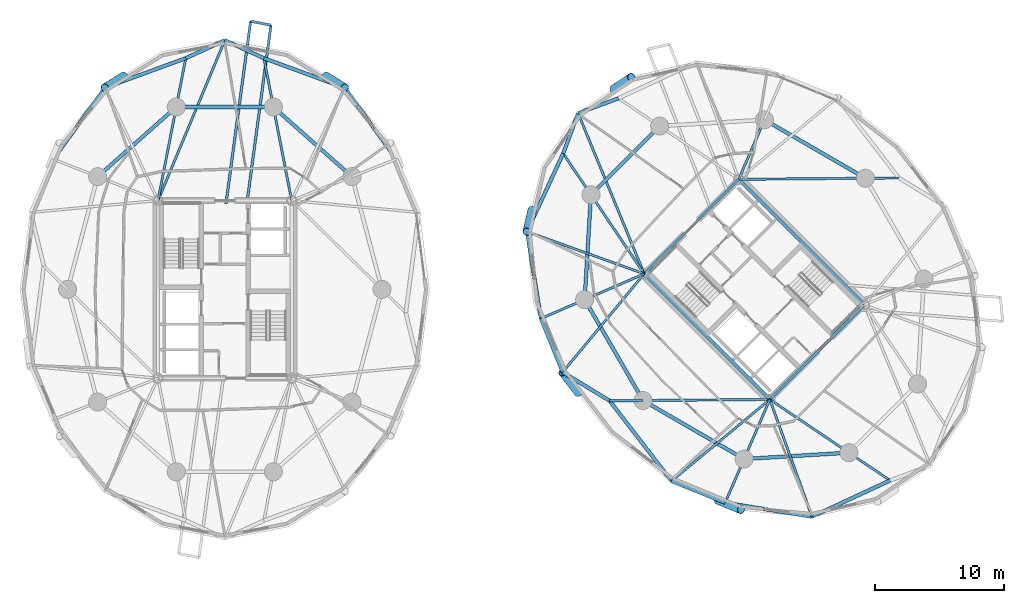
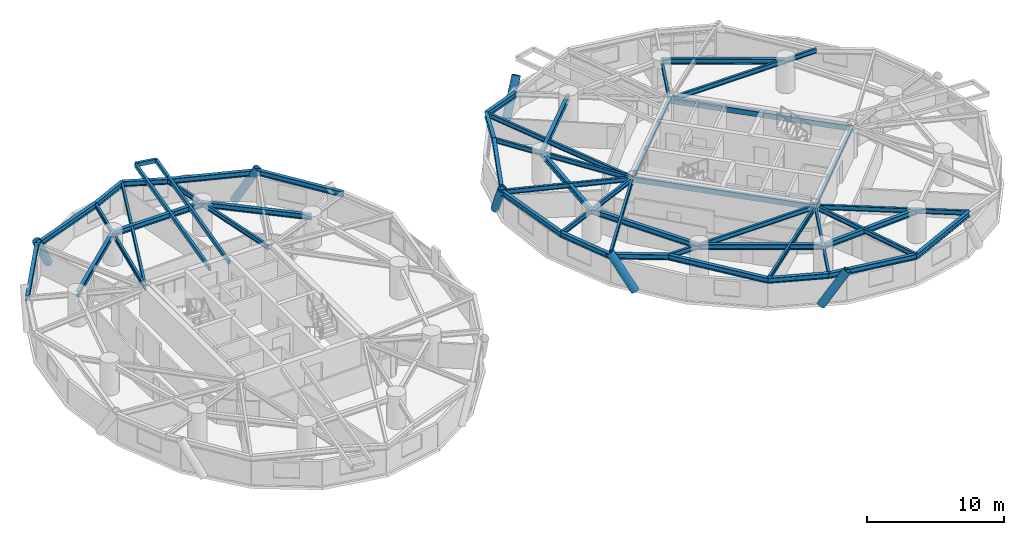
# One storey, part 5 of 17: 48 beams, 6 members.
"""IFC4 building model written with IfcOpenShell, lengths in metres."""

from ifc_helpers import new_model, si_unit, direction, frame, origin, origin_2d, place, context, subcontext, project, spatial, hollow_rectangle, hollow_circle, i_section, extrude, material, material_profile, profile_set, type_object, element, save


model = new_model("IFC4")

# Units and contexts
model_context = context("Model", 3, precision=1e-05, world=origin(), true_north=direction((0.0, 1.0)))
body_context = subcontext(model_context, "Body", "Model", "MODEL_VIEW")
ifc_project = project(units=[si_unit("LENGTHUNIT", "METRE"), si_unit("AREAUNIT", "SQUARE_METRE"), si_unit("VOLUMEUNIT", "CUBIC_METRE"), si_unit("PLANEANGLEUNIT", "RADIAN"), si_unit("MASSUNIT", "GRAM", prefix="KILO")], contexts=[model_context])

# Site, building, storey
site_placement = place(None, origin())
site = spatial("IfcSite", under=ifc_project, at=site_placement, CompositionType="ELEMENT")
building_placement = place(site_placement, origin())
building = spatial("IfcBuilding", under=site, at=building_placement, Name="Cununo Teusaquillo Station Towers", CompositionType="ELEMENT")
storey_placement = place(building_placement, frame((0.0, 0.0, 116.7099609375)))
storey = spatial("IfcBuildingStorey", under=building, at=storey_placement, Name="L37", CompositionType="ELEMENT", Elevation=116.7099609375)

# Beams
ifc_material_1 = material(Name="Steel EN 10025-2 S355J2", Category="steel")
ifc_material_profile_1 = material_profile(ifc_material_1, hollow_rectangle(XDim=0.199951171875, YDim=0.35009765625, WallThickness=0.013916015625, at=origin_2d()), Name="RHS 350x200x14")
ifc_profile_set_1 = profile_set([ifc_material_profile_1], Name="Steel EN 10025-2 S355J2")
beam_type_1 = type_object("IfcBeamType", Name="BM-BAL-CANT", PredefinedType="BEAM", material=ifc_profile_set_1)
beam_1_placement = place(storey_placement, frame((18.206298828125, 31.14990234375, 2.4951171875), z_axis=(0.133960678738, 0.990986648019, 0.0), x_axis=(-0.990986648019, 0.133960678738, 0.0)))
element("IfcBeam", 1, at=beam_1_placement, inside=storey, type_object=beam_type_1, Name="L37 Tower A Balcony Cantilever Bracket 1A", PredefinedType="BEAM", context=body_context, shape_type="SweptSolid", body=[
    extrude(hollow_rectangle(XDim=0.199951171875, YDim=0.35009765625, WallThickness=0.013916015625, at=origin_2d()), origin(), (0.0, 0.0, 1.0), 13.9345703125),
])
beam_2_placement = place(storey_placement, frame((16.59130859375, 31.14990234375, 2.4951171875), z_axis=(0.133936551357, 0.990989909237, 0.0), x_axis=(-0.990989909237, 0.133936551357, 0.0)))
element("IfcBeam", 2, at=beam_2_placement, inside=storey, type_object=beam_type_1, Name="L37 Tower A Balcony Cantilever Bracket 1B", PredefinedType="BEAM", context=body_context, shape_type="SweptSolid", body=[
    extrude(hollow_rectangle(XDim=0.199951171875, YDim=0.35009765625, WallThickness=0.013916015625, at=origin_2d()), origin(), (0.0, 0.0, 1.0), 14.24169921875),
])
ifc_material_2 = material(Name="Steel EN 10025-2 S355J2", Category="steel")
ifc_material_profile_2 = material_profile(ifc_material_2, hollow_rectangle(XDim=0.25, YDim=0.449951171875, WallThickness=0.01611328125, at=origin_2d()), Name="RHS 450x250x16")
ifc_profile_set_2 = profile_set([ifc_material_profile_2], Name="Steel EN 10025-2 S355J2")
beam_type_2 = type_object("IfcBeamType", Name="BM-COUP-1", PredefinedType="USERDEFINED", material=ifc_profile_set_2)
for number, where, z_axis, x_axis, name in (
    (3, (58.70556640625, 15.975830078125, 2.445068359375), (-0.707106781187, 0.707106781187, 0.0), (-0.707106781187, -0.707106781187, 0.0), "L37 Tower B Core Beam 1"),
    (4, (66.024169921875, 23.29443359375, 2.445068359375), (-0.707106781187, 0.707106781187, 0.0), (-0.707106781187, -0.707106781187, 0.0), "L37 Tower B Core Beam 2"),
):
    element("IfcBeam", number, at=place(storey_placement, frame(where, z_axis=z_axis, x_axis=x_axis)), inside=storey, type_object=beam_type_2, Name=name, ObjectType="COUPLING BEAM", PredefinedType="USERDEFINED", context=body_context, shape_type="SweptSolid", body=[
        extrude(hollow_rectangle(XDim=0.25, YDim=0.449951171875, WallThickness=0.01611328125, at=origin_2d()), origin(), (0.0, 0.0, 1.0), 13.760009765625),
    ])
ifc_material_3 = material(Name="Steel ASTM A572 Grade 50", Category="steel")
ifc_material_profile_3 = material_profile(ifc_material_3, i_section(OverallWidth=0.180908203125, OverallDepth=0.4169921875, WebThickness=0.010986328125, FlangeThickness=0.018310546875, FilletRadius=0.012939453125, at=origin_2d()), Name="W16X57")
ifc_profile_set_3 = profile_set([ifc_material_profile_3], Name="Steel ASTM A572 Grade 50")
beam_type_3 = type_object("IfcBeamType", Name="BM-JOIST-1", PredefinedType="JOIST", material=ifc_profile_set_3)
beam_3_placement = place(storey_placement, frame((11.324951171875, 31.3798828125, 2.46142578125), z_axis=(0.38487837995, 0.922967297713, 0.0), x_axis=(-0.922967297713, 0.38487837995, 0.0)))
element("IfcBeam", 5, at=beam_3_placement, inside=storey, type_object=beam_type_3, Name="L37 Tower A Radial Spandrel Joist V05", PredefinedType="JOIST", context=body_context, shape_type="SweptSolid", body=[
    extrude(i_section(OverallWidth=0.180908203125, OverallDepth=0.4169921875, WebThickness=0.010986328125, FlangeThickness=0.018310546875, FilletRadius=0.012939453125, at=origin_2d()), origin(), (0.0, 0.0, 1.0), 13.446044921875),
])
beam_4_placement = place(storey_placement, frame((48.975830078125, 25.70556640625, 2.46142578125), z_axis=(-0.380485864505, 0.924786735908, 0.0), x_axis=(-0.924786735908, -0.380485864505, 0.0)))
element("IfcBeam", 6, at=beam_4_placement, inside=storey, type_object=beam_type_3, Name="L37 Tower B Radial Spandrel Joist V05", PredefinedType="JOIST", context=body_context, shape_type="SweptSolid", body=[
    extrude(i_section(OverallWidth=0.180908203125, OverallDepth=0.4169921875, WebThickness=0.010986328125, FlangeThickness=0.018310546875, FilletRadius=0.012939453125, at=origin_2d()), origin(), (0.0, 0.0, 1.0), 13.44580078125),
])
beam_5_placement = place(storey_placement, frame((48.975830078125, 25.70556640625, 2.46142578125), z_axis=(-0.941082771055, 0.338176312038, 0.0), x_axis=(-0.338176312038, -0.941082771055, 0.0)))
element("IfcBeam", 7, at=beam_5_placement, inside=storey, type_object=beam_type_3, Name="L37 Tower B Radial Spandrel Joist V07", PredefinedType="JOIST", context=body_context, shape_type="SweptSolid", body=[
    extrude(i_section(OverallWidth=0.180908203125, OverallDepth=0.4169921875, WebThickness=0.010986328125, FlangeThickness=0.018310546875, FilletRadius=0.012939453125, at=origin_2d()), origin(), (0.0, 0.0, 1.0), 9.646484375),
])
for number, where, z_axis, x_axis, name in (
    (8, (48.975830078125, 25.70556640625, 2.46142578125), (-0.638372238196, -0.769727799615, 0.0), (0.769727799615, -0.638372238196, 0.0), "L37 Tower B Radial Spandrel Joist V09"),
    (9, (58.70556640625, 15.975830078125, 2.46142578125), (-0.769727799615, -0.638372238196, 0.0), (0.638372238196, -0.769727799615, 0.0), "L37 Tower B Radial Spandrel Joist V11"),
):
    element("IfcBeam", number, at=place(storey_placement, frame(where, z_axis=z_axis, x_axis=x_axis)), inside=storey, type_object=beam_type_3, Name=name, PredefinedType="JOIST", context=body_context, shape_type="SweptSolid", body=[
        extrude(i_section(OverallWidth=0.180908203125, OverallDepth=0.4169921875, WebThickness=0.010986328125, FlangeThickness=0.018310546875, FilletRadius=0.012939453125, at=origin_2d()), origin(), (0.0, 0.0, 1.0), 9.895263671875),
    ])
beam_6_placement = place(storey_placement, frame((58.70556640625, 15.975830078125, 2.46142578125), z_axis=(0.338176312038, -0.941082771055, 0.0), x_axis=(0.941082771055, 0.338176312038, 0.0)))
element("IfcBeam", 10, at=beam_6_placement, inside=storey, type_object=beam_type_3, Name="L37 Tower B Radial Spandrel Joist V13", PredefinedType="JOIST", context=body_context, shape_type="SweptSolid", body=[
    extrude(i_section(OverallWidth=0.180908203125, OverallDepth=0.4169921875, WebThickness=0.010986328125, FlangeThickness=0.018310546875, FilletRadius=0.012939453125, at=origin_2d()), origin(), (0.0, 0.0, 1.0), 9.646484375),
])
ifc_material_4 = material(Name="Steel ASTM A572 Grade 50", Category="steel")
ifc_material_profile_4 = material_profile(ifc_material_4, i_section(OverallWidth=0.2041015625, OverallDepth=0.35009765625, WebThickness=0.008544921875, FlangeThickness=0.01513671875, FilletRadius=0.011962890625, at=origin_2d()), Name="W14X48")
ifc_profile_set_4 = profile_set([ifc_material_profile_4], Name="Steel ASTM A572 Grade 50")
beam_type_4 = type_object("IfcBeamType", Name="BM-LINTEL-1", PredefinedType="LINTEL", material=ifc_profile_set_4)
for number, where, z_axis, x_axis, name in (
    (11, (58.70556640625, 15.975830078125, 2.4951171875), (0.707106781187, 0.707106781187, 0.0), (-0.707106781187, 0.707106781187, 0.0), "L37 Tower B Core Beam 3"),
    (12, (48.975830078125, 25.70556640625, 2.4951171875), (0.707106781187, 0.707106781187, 0.0), (-0.707106781187, 0.707106781187, 0.0), "L37 Tower B Core Beam 4"),
):
    element("IfcBeam", number, at=place(storey_placement, frame(where, z_axis=z_axis, x_axis=x_axis)), inside=storey, type_object=beam_type_4, Name=name, PredefinedType="LINTEL", context=body_context, shape_type="SweptSolid", body=[
        extrude(i_section(OverallWidth=0.2041015625, OverallDepth=0.35009765625, WebThickness=0.008544921875, FlangeThickness=0.01513671875, FilletRadius=0.011962890625, at=origin_2d()), origin(), (0.0, 0.0, 1.0), 10.35009765625),
    ])
ifc_material_5 = material(Name="Steel ASTM A572 Grade 50", Category="steel")
ifc_material_profile_5 = material_profile(ifc_material_5, i_section(OverallWidth=0.180908203125, OverallDepth=0.4169921875, WebThickness=0.010986328125, FlangeThickness=0.018310546875, FilletRadius=0.012939453125, at=origin_2d()), Name="W16X57")
ifc_profile_set_5 = profile_set([ifc_material_profile_5], Name="Steel ASTM A572 Grade 50")
beam_type_5 = type_object("IfcBeamType", Name="BM-RAD-G2", PredefinedType="BEAM", material=ifc_profile_set_5)
for number, where, z_axis, x_axis, name in (
    (13, (21.675048828125, 31.3798828125, 2.46142578125), (-0.191552755713, 0.981482318628, 0.0), (-0.981482318628, -0.191552755713, 0.0), "L37 Tower A Continuous Overhanging Radial Girder 03"),
    (14, (11.324951171875, 31.3798828125, 2.46142578125), (0.191552755713, 0.981482318628, 0.0), (-0.981482318628, 0.191552755713, 0.0), "L37 Tower A Continuous Overhanging Radial Girder 04"),
):
    element("IfcBeam", number, at=place(storey_placement, frame(where, z_axis=z_axis, x_axis=x_axis)), inside=storey, type_object=beam_type_5, Name=name, PredefinedType="BEAM", context=body_context, shape_type="SweptSolid", body=[
        extrude(i_section(OverallWidth=0.180908203125, OverallDepth=0.4169921875, WebThickness=0.010986328125, FlangeThickness=0.018310546875, FilletRadius=0.012939453125, at=origin_2d()), origin(), (0.0, 0.0, 1.0), 11.22998046875),
    ])
beam_7_placement = place(storey_placement, frame((56.29443359375, 33.024169921875, 2.46142578125), z_axis=(0.999964331255, 0.008446077024, 0.0), x_axis=(-0.008446077024, 0.999964331255, 0.0)))
element("IfcBeam", 15, at=beam_7_placement, inside=storey, type_object=beam_type_5, Name="L37 Tower B Continuous Overhanging Radial Girder 01", PredefinedType="BEAM", context=body_context, shape_type="SweptSolid", body=[
    extrude(i_section(OverallWidth=0.180908203125, OverallDepth=0.4169921875, WebThickness=0.010986328125, FlangeThickness=0.018310546875, FilletRadius=0.012939453125, at=origin_2d()), origin(), (0.0, 0.0, 1.0), 12.400634765625),
])
beam_8_placement = place(storey_placement, frame((56.29443359375, 33.024169921875, 2.46142578125), z_axis=(0.397346986387, 0.917668443616, 0.0), x_axis=(-0.917668443616, 0.397346986387, 0.0)))
element("IfcBeam", 16, at=beam_8_placement, inside=storey, type_object=beam_type_5, Name="L37 Tower B Radial Girder 02A", PredefinedType="BEAM", context=body_context, shape_type="SweptSolid", body=[
    extrude(i_section(OverallWidth=0.180908203125, OverallDepth=0.4169921875, WebThickness=0.010986328125, FlangeThickness=0.018310546875, FilletRadius=0.012939453125, at=origin_2d()), origin(), (0.0, 0.0, 1.0), 5.02490234375),
])
beam_9_placement = place(storey_placement, frame((48.975830078125, 25.70556640625, 2.46142578125), z_axis=(-0.558572297481, 0.82945583878, 0.0), x_axis=(-0.82945583878, -0.558572297481, 0.0)))
element("IfcBeam", 17, at=beam_9_placement, inside=storey, type_object=beam_type_5, Name="L37 Tower B Continuous Overhanging Radial Girder 04", PredefinedType="BEAM", context=body_context, shape_type="SweptSolid", body=[
    extrude(i_section(OverallWidth=0.180908203125, OverallDepth=0.4169921875, WebThickness=0.010986328125, FlangeThickness=0.018310546875, FilletRadius=0.012939453125, at=origin_2d()), origin(), (0.0, 0.0, 1.0), 11.22998046875),
])
beam_10_placement = place(storey_placement, frame((48.975830078125, 25.70556640625, 2.46142578125), z_axis=(-0.917654733344, -0.397378648609, 0.0), x_axis=(0.397378648609, -0.917654733344, 0.0)))
element("IfcBeam", 18, at=beam_10_placement, inside=storey, type_object=beam_type_5, Name="L37 Tower B Continuous Overhanging Radial Girder 05", PredefinedType="BEAM", context=body_context, shape_type="SweptSolid", body=[
    extrude(i_section(OverallWidth=0.180908203125, OverallDepth=0.4169921875, WebThickness=0.010986328125, FlangeThickness=0.018310546875, FilletRadius=0.012939453125, at=origin_2d()), origin(), (0.0, 0.0, 1.0), 8.71484375),
])
beam_11_placement = place(storey_placement, frame((58.70556640625, 15.975830078125, 2.46142578125), z_axis=(-0.999964431382, -0.008434214327, 0.0), x_axis=(0.008434214327, -0.999964431382, 0.0)))
element("IfcBeam", 19, at=beam_11_placement, inside=storey, type_object=beam_type_5, Name="L37 Tower B Radial Girder 06A", PredefinedType="BEAM", context=body_context, shape_type="SweptSolid", body=[
    extrude(i_section(OverallWidth=0.180908203125, OverallDepth=0.4169921875, WebThickness=0.010986328125, FlangeThickness=0.018310546875, FilletRadius=0.012939453125, at=origin_2d()), origin(), (0.0, 0.0, 1.0), 9.812744140625),
])
beam_12_placement = place(storey_placement, frame((48.89306640625, 15.89306640625, 2.46142578125), z_axis=(-0.999963950292, -0.008491060999, 0.0), x_axis=(0.008491060999, -0.999963950292, 0.0)))
element("IfcBeam", 20, at=beam_12_placement, inside=storey, type_object=beam_type_5, Name="L37 Tower B Perimeter Overhang Girder 06B", PredefinedType="BEAM", context=body_context, shape_type="SweptSolid", body=[
    extrude(i_section(OverallWidth=0.180908203125, OverallDepth=0.4169921875, WebThickness=0.010986328125, FlangeThickness=0.018310546875, FilletRadius=0.012939453125, at=origin_2d()), origin(), (0.0, 0.0, 1.0), 2.587646484375),
])
beam_13_placement = place(storey_placement, frame((58.70556640625, 15.975830078125, 2.46142578125), z_axis=(-0.397378648609, -0.917654733344, 0.0), x_axis=(0.917654733344, -0.397378648609, 0.0)))
element("IfcBeam", 21, at=beam_13_placement, inside=storey, type_object=beam_type_5, Name="L37 Tower B Continuous Overhanging Radial Girder 07", PredefinedType="BEAM", context=body_context, shape_type="SweptSolid", body=[
    extrude(i_section(OverallWidth=0.180908203125, OverallDepth=0.4169921875, WebThickness=0.010986328125, FlangeThickness=0.018310546875, FilletRadius=0.012939453125, at=origin_2d()), origin(), (0.0, 0.0, 1.0), 8.71484375),
])
beam_14_placement = place(storey_placement, frame((58.70556640625, 15.975830078125, 2.46142578125), z_axis=(0.82945583878, -0.558572297481, 0.0), x_axis=(0.558572297481, 0.82945583878, 0.0)))
element("IfcBeam", 22, at=beam_14_placement, inside=storey, type_object=beam_type_5, Name="L37 Tower B Continuous Overhanging Radial Girder 08", PredefinedType="BEAM", context=body_context, shape_type="SweptSolid", body=[
    extrude(i_section(OverallWidth=0.180908203125, OverallDepth=0.4169921875, WebThickness=0.010986328125, FlangeThickness=0.018310546875, FilletRadius=0.012939453125, at=origin_2d()), origin(), (0.0, 0.0, 1.0), 11.22998046875),
])
ifc_material_6 = material(Name="Steel ASTM A572 Grade 50", Category="steel")
ifc_material_profile_6 = material_profile(ifc_material_6, i_section(OverallWidth=0.280029296875, OverallDepth=0.462890625, WebThickness=0.0107421875, FlangeThickness=0.017333984375, FilletRadius=0.013916015625, at=origin_2d()), Name="W18X76")
ifc_profile_set_6 = profile_set([ifc_material_profile_6], Name="Steel ASTM A572 Grade 50")
beam_type_6 = type_object("IfcBeamType", Name="BM-RING-Z2", PredefinedType="SPANDREL", material=ifc_profile_set_6)
beam_15_placement = place(storey_placement, frame((26.347412109375, 33.228515625, 2.4384765625), z_axis=(-0.74832120039, 0.66333655187, 0.0), x_axis=(-0.66333655187, -0.74832120039, 0.0)))
element("IfcBeam", 23, at=beam_15_placement, inside=storey, type_object=beam_type_6, Name="L37 Tower A Structural Column Ring Girder 02", PredefinedType="SPANDREL", context=body_context, shape_type="SweptSolid", body=[
    extrude(i_section(OverallWidth=0.280029296875, OverallDepth=0.462890625, WebThickness=0.0107421875, FlangeThickness=0.017333984375, FilletRadius=0.013916015625, at=origin_2d()), origin(), (0.0, 0.0, 1.0), 8.1328125),
])
beam_16_placement = place(storey_placement, frame((20.261474609375, 38.623291015625, 2.4384765625), z_axis=(-1.0, 0.0, 0.0), x_axis=(0.0, -1.0, 0.0)))
element("IfcBeam", 24, at=beam_16_placement, inside=storey, type_object=beam_type_6, Name="L37 Tower A Structural Column Ring Girder 03", PredefinedType="SPANDREL", context=body_context, shape_type="SweptSolid", body=[
    extrude(i_section(OverallWidth=0.280029296875, OverallDepth=0.462890625, WebThickness=0.0107421875, FlangeThickness=0.017333984375, FilletRadius=0.013916015625, at=origin_2d()), origin(), (0.0, 0.0, 1.0), 7.52294921875),
])
beam_17_placement = place(storey_placement, frame((12.738525390625, 38.623291015625, 2.4384765625), z_axis=(-0.74832120039, -0.66333655187, 0.0), x_axis=(0.66333655187, -0.74832120039, 0.0)))
element("IfcBeam", 25, at=beam_17_placement, inside=storey, type_object=beam_type_6, Name="L37 Tower A Structural Column Ring Girder 04", PredefinedType="SPANDREL", context=body_context, shape_type="SweptSolid", body=[
    extrude(i_section(OverallWidth=0.280029296875, OverallDepth=0.462890625, WebThickness=0.0107421875, FlangeThickness=0.017333984375, FilletRadius=0.013916015625, at=origin_2d()), origin(), (0.0, 0.0, 1.0), 8.1328125),
])
beam_18_placement = place(storey_placement, frame((29.77880859375, 34.586181640625, 2.4384765625), z_axis=(-0.58594455724, 0.810351143543, 0.0), x_axis=(-0.810351143543, -0.58594455724, 0.0)))
element("IfcBeam", 26, at=beam_18_placement, inside=storey, type_object=beam_type_6, Name="L37 Tower A Spandrel Ring Beam 03", PredefinedType="SPANDREL", context=body_context, shape_type="SweptSolid", body=[
    extrude(i_section(OverallWidth=0.280029296875, OverallDepth=0.462890625, WebThickness=0.0107421875, FlangeThickness=0.017333984375, FilletRadius=0.013916015625, at=origin_2d()), origin(), (0.0, 0.0, 1.0), 6.8115234375),
])
beam_19_placement = place(storey_placement, frame((25.78759765625, 40.10595703125, 2.4384765625), z_axis=(-0.938914161016, 0.34415141761, 0.0), x_axis=(-0.34415141761, -0.938914161016, 0.0)))
element("IfcBeam", 27, at=beam_19_placement, inside=storey, type_object=beam_type_6, Name="L37 Tower A Spandrel Ring Beam 04", PredefinedType="SPANDREL", context=body_context, shape_type="SweptSolid", body=[
    extrude(i_section(OverallWidth=0.280029296875, OverallDepth=0.462890625, WebThickness=0.0107421875, FlangeThickness=0.017333984375, FilletRadius=0.013916015625, at=origin_2d()), origin(), (0.0, 0.0, 1.0), 6.671142578125),
])
for number, where, z_axis, x_axis, name in (
    (28, (19.52392578125, 42.40185546875, 2.4384765625), (-0.908812215281, 0.417205413862, 0.0), (-0.417205413862, -0.908812215281, 0.0), "L37 Tower A Spandrel Ring Beam 05"),
    (29, (16.5, 43.7900390625, 2.4384765625), (-0.908812215281, -0.417205413862, 0.0), (0.417205413862, -0.908812215281, 0.0), "L37 Tower A Spandrel Ring Beam 06"),
):
    element("IfcBeam", number, at=place(storey_placement, frame(where, z_axis=z_axis, x_axis=x_axis)), inside=storey, type_object=beam_type_6, Name=name, PredefinedType="SPANDREL", context=body_context, shape_type="SweptSolid", body=[
        extrude(i_section(OverallWidth=0.280029296875, OverallDepth=0.462890625, WebThickness=0.0107421875, FlangeThickness=0.017333984375, FilletRadius=0.013916015625, at=origin_2d()), origin(), (0.0, 0.0, 1.0), 3.327392578125),
    ])
beam_20_placement = place(storey_placement, frame((13.47607421875, 42.40185546875, 2.4384765625), z_axis=(-0.938914161016, -0.34415141761, 0.0), x_axis=(0.34415141761, -0.938914161016, 0.0)))
element("IfcBeam", 30, at=beam_20_placement, inside=storey, type_object=beam_type_6, Name="L37 Tower A Spandrel Ring Beam 07", PredefinedType="SPANDREL", context=body_context, shape_type="SweptSolid", body=[
    extrude(i_section(OverallWidth=0.280029296875, OverallDepth=0.462890625, WebThickness=0.0107421875, FlangeThickness=0.017333984375, FilletRadius=0.013916015625, at=origin_2d()), origin(), (0.0, 0.0, 1.0), 6.671142578125),
])
beam_21_placement = place(storey_placement, frame((7.21240234375, 40.10595703125, 2.4384765625), z_axis=(-0.58594455724, -0.810351143543, 0.0), x_axis=(0.810351143543, -0.58594455724, 0.0)))
element("IfcBeam", 31, at=beam_21_placement, inside=storey, type_object=beam_type_6, Name="L37 Tower A Spandrel Ring Beam 08", PredefinedType="SPANDREL", context=body_context, shape_type="SweptSolid", body=[
    extrude(i_section(OverallWidth=0.280029296875, OverallDepth=0.462890625, WebThickness=0.0107421875, FlangeThickness=0.017333984375, FilletRadius=0.013916015625, at=origin_2d()), origin(), (0.0, 0.0, 1.0), 6.8115234375),
])
beam_22_placement = place(storey_placement, frame((66.10693359375, 33.10693359375, 2.4384765625), z_axis=(-0.865267103202, 0.501311121078, 0.0), x_axis=(-0.501311121078, -0.865267103202, 0.0)))
element("IfcBeam", 32, at=beam_22_placement, inside=storey, type_object=beam_type_6, Name="L37 Tower B Structural Column Ring Girder 01", PredefinedType="SPANDREL", context=body_context, shape_type="SweptSolid", body=[
    extrude(i_section(OverallWidth=0.280029296875, OverallDepth=0.462890625, WebThickness=0.0107421875, FlangeThickness=0.017333984375, FilletRadius=0.013916015625, at=origin_2d()), origin(), (0.0, 0.0, 1.0), 9.032958984375),
])
beam_23_placement = place(storey_placement, frame((50.173095703125, 37.146240234375, 2.4384765625), z_axis=(-0.707106781187, -0.707106781187, 0.0), x_axis=(0.707106781187, -0.707106781187, 0.0)))
element("IfcBeam", 33, at=beam_23_placement, inside=storey, type_object=beam_type_6, Name="L37 Tower B Structural Column Ring Girder 03", PredefinedType="SPANDREL", context=body_context, shape_type="SweptSolid", body=[
    extrude(i_section(OverallWidth=0.280029296875, OverallDepth=0.462890625, WebThickness=0.0107421875, FlangeThickness=0.017333984375, FilletRadius=0.013916015625, at=origin_2d()), origin(), (0.0, 0.0, 1.0), 7.522705078125),
])
beam_24_placement = place(storey_placement, frame((44.853759765625, 31.826904296875, 2.4384765625), z_axis=(-0.06012979176, -0.998190567048, 0.0), x_axis=(0.998190567048, -0.06012979176, 0.0)))
element("IfcBeam", 34, at=beam_24_placement, inside=storey, type_object=beam_type_6, Name="L37 Tower B Structural Column Ring Girder 04", PredefinedType="SPANDREL", context=body_context, shape_type="SweptSolid", body=[
    extrude(i_section(OverallWidth=0.280029296875, OverallDepth=0.462890625, WebThickness=0.0107421875, FlangeThickness=0.017333984375, FilletRadius=0.013916015625, at=origin_2d()), origin(), (0.0, 0.0, 1.0), 8.132568359375),
])
for number, where, z_axis, x_axis, name in (
    (35, (44.36474609375, 23.708984375, 2.4384765625), (0.501311121078, -0.865267103202, 0.0), (0.865267103202, 0.501311121078, 0.0), "L37 Tower B Structural Column Ring Girder 05"),
    (36, (48.89306640625, 15.89306640625, 2.4384765625), (0.865267103202, -0.501311121078, 0.0), (0.501311121078, 0.865267103202, 0.0), "L37 Tower B Structural Column Ring Girder 06"),
):
    element("IfcBeam", number, at=place(storey_placement, frame(where, z_axis=z_axis, x_axis=x_axis)), inside=storey, type_object=beam_type_6, Name=name, PredefinedType="SPANDREL", context=body_context, shape_type="SweptSolid", body=[
        extrude(i_section(OverallWidth=0.280029296875, OverallDepth=0.462890625, WebThickness=0.0107421875, FlangeThickness=0.017333984375, FilletRadius=0.013916015625, at=origin_2d()), origin(), (0.0, 0.0, 1.0), 9.032958984375),
    ])
beam_25_placement = place(storey_placement, frame((56.708984375, 11.36474609375, 2.4384765625), z_axis=(0.998190567048, 0.06012979176, 0.0), x_axis=(-0.06012979176, 0.998190567048, 0.0)))
element("IfcBeam", 37, at=beam_25_placement, inside=storey, type_object=beam_type_6, Name="L37 Tower B Structural Column Ring Girder 07", PredefinedType="SPANDREL", context=body_context, shape_type="SweptSolid", body=[
    extrude(i_section(OverallWidth=0.280029296875, OverallDepth=0.462890625, WebThickness=0.0107421875, FlangeThickness=0.017333984375, FilletRadius=0.013916015625, at=origin_2d()), origin(), (0.0, 0.0, 1.0), 8.132568359375),
])
for number, where, z_axis, x_axis, name in (
    (38, (46.979736328125, 39.296875, 2.4384765625), (-0.937628334414, -0.347639333943, 0.0), (0.347639333943, -0.937628334414, 0.0), "L37 Tower B Spandrel Ring Beam 05"),
    (39, (43.85986328125, 38.14013671875, 2.4384765625), (-0.347639333943, -0.937628334414, 0.0), (0.937628334414, -0.347639333943, 0.0), "L37 Tower B Spandrel Ring Beam 06"),
):
    element("IfcBeam", number, at=place(storey_placement, frame(where, z_axis=z_axis, x_axis=x_axis)), inside=storey, type_object=beam_type_6, Name=name, PredefinedType="SPANDREL", context=body_context, shape_type="SweptSolid", body=[
        extrude(i_section(OverallWidth=0.280029296875, OverallDepth=0.462890625, WebThickness=0.0107421875, FlangeThickness=0.017333984375, FilletRadius=0.013916015625, at=origin_2d()), origin(), (0.0, 0.0, 1.0), 3.327392578125),
    ])
beam_26_placement = place(storey_placement, frame((42.703125, 35.020263671875, 2.4384765625), z_axis=(-0.420535961689, -0.907275870354, 0.0), x_axis=(0.907275870354, -0.420535961689, 0.0)))
element("IfcBeam", 40, at=beam_26_placement, inside=storey, type_object=beam_type_6, Name="L37 Tower B Spandrel Ring Beam 07", PredefinedType="SPANDREL", context=body_context, shape_type="SweptSolid", body=[
    extrude(i_section(OverallWidth=0.280029296875, OverallDepth=0.462890625, WebThickness=0.0107421875, FlangeThickness=0.017333984375, FilletRadius=0.013916015625, at=origin_2d()), origin(), (0.0, 0.0, 1.0), 6.671142578125),
])
beam_27_placement = place(storey_placement, frame((39.897705078125, 28.9677734375, 2.4384765625), z_axis=(0.158671232312, -0.987331474246, 0.0), x_axis=(0.987331474246, 0.158671232312, 0.0)))
element("IfcBeam", 41, at=beam_27_placement, inside=storey, type_object=beam_type_6, Name="L37 Tower B Spandrel Ring Beam 08", PredefinedType="SPANDREL", context=body_context, shape_type="SweptSolid", body=[
    extrude(i_section(OverallWidth=0.280029296875, OverallDepth=0.462890625, WebThickness=0.0107421875, FlangeThickness=0.017333984375, FilletRadius=0.013916015625, at=origin_2d()), origin(), (0.0, 0.0, 1.0), 6.8115234375),
])
beam_28_placement = place(storey_placement, frame((40.978515625, 22.242431640625, 2.4384765625), z_axis=(0.375042266631, -0.927007712072, 0.0), x_axis=(0.927007712072, 0.375042266631, 0.0)))
element("IfcBeam", 42, at=beam_28_placement, inside=storey, type_object=beam_type_6, Name="L37 Tower B Spandrel Ring Beam 09", PredefinedType="SPANDREL", context=body_context, shape_type="SweptSolid", body=[
    extrude(i_section(OverallWidth=0.280029296875, OverallDepth=0.462890625, WebThickness=0.0107421875, FlangeThickness=0.017333984375, FilletRadius=0.013916015625, at=origin_2d()), origin(), (0.0, 0.0, 1.0), 4.480712890625),
])
beam_29_placement = place(storey_placement, frame((42.658935546875, 18.0888671875, 2.4384765625), z_axis=(0.854388492444, -0.519634779416, 0.0), x_axis=(0.519634779416, 0.854388492444, 0.0)))
element("IfcBeam", 43, at=beam_29_placement, inside=storey, type_object=beam_type_6, Name="L37 Tower B Spandrel Ring Beam 10", PredefinedType="SPANDREL", context=body_context, shape_type="SweptSolid", body=[
    extrude(i_section(OverallWidth=0.280029296875, OverallDepth=0.462890625, WebThickness=0.0107421875, FlangeThickness=0.017333984375, FilletRadius=0.013916015625, at=origin_2d()), origin(), (0.0, 0.0, 1.0), 4.26806640625),
])
beam_30_placement = place(storey_placement, frame((46.305419921875, 15.87109375, 2.4384765625), z_axis=(0.610100441726, -0.792324082056, 0.0), x_axis=(0.792324082056, 0.610100441726, 0.0)))
element("IfcBeam", 44, at=beam_30_placement, inside=storey, type_object=beam_type_6, Name="L37 Tower B Spandrel Ring Beam 11", PredefinedType="SPANDREL", context=body_context, shape_type="SweptSolid", body=[
    extrude(i_section(OverallWidth=0.280029296875, OverallDepth=0.462890625, WebThickness=0.0107421875, FlangeThickness=0.017333984375, FilletRadius=0.013916015625, at=origin_2d()), origin(), (0.0, 0.0, 1.0), 7.84033203125),
])
beam_31_placement = place(storey_placement, frame((51.0888671875, 9.658935546875, 2.4384765625), z_axis=(0.927007712072, -0.375042266631, 0.0), x_axis=(0.375042266631, 0.927007712072, 0.0)))
element("IfcBeam", 45, at=beam_31_placement, inside=storey, type_object=beam_type_6, Name="L37 Tower B Spandrel Ring Beam 12", PredefinedType="SPANDREL", context=body_context, shape_type="SweptSolid", body=[
    extrude(i_section(OverallWidth=0.280029296875, OverallDepth=0.462890625, WebThickness=0.0107421875, FlangeThickness=0.017333984375, FilletRadius=0.013916015625, at=origin_2d()), origin(), (0.0, 0.0, 1.0), 4.480712890625),
])
beam_32_placement = place(storey_placement, frame((55.242431640625, 7.978515625, 2.4384765625), z_axis=(0.987331474246, -0.158671232312, 0.0), x_axis=(0.158671232312, 0.987331474246, 0.0)))
element("IfcBeam", 46, at=beam_32_placement, inside=storey, type_object=beam_type_6, Name="L37 Tower B Spandrel Ring Beam 13", PredefinedType="SPANDREL", context=body_context, shape_type="SweptSolid", body=[
    extrude(i_section(OverallWidth=0.280029296875, OverallDepth=0.462890625, WebThickness=0.0107421875, FlangeThickness=0.017333984375, FilletRadius=0.013916015625, at=origin_2d()), origin(), (0.0, 0.0, 1.0), 6.8115234375),
])
beam_33_placement = place(storey_placement, frame((61.9677734375, 6.897705078125, 2.4384765625), z_axis=(0.907275870354, 0.420535961689, 0.0), x_axis=(-0.420535961689, 0.907275870354, 0.0)))
element("IfcBeam", 47, at=beam_33_placement, inside=storey, type_object=beam_type_6, Name="L37 Tower B Spandrel Ring Beam 14", PredefinedType="SPANDREL", context=body_context, shape_type="SweptSolid", body=[
    extrude(i_section(OverallWidth=0.280029296875, OverallDepth=0.462890625, WebThickness=0.0107421875, FlangeThickness=0.017333984375, FilletRadius=0.013916015625, at=origin_2d()), origin(), (0.0, 0.0, 1.0), 6.671142578125),
])
ifc_material_7 = material(Name="Steel EN 10025-2 S355J2", Category="steel")
ifc_material_profile_7 = material_profile(ifc_material_7, hollow_rectangle(XDim=0.199951171875, YDim=0.35009765625, WallThickness=0.013916015625, at=origin_2d()), Name="RHS 350x200x14")
ifc_profile_set_7 = profile_set([ifc_material_profile_7], Name="Steel EN 10025-2 S355J2")
beam_type_7 = type_object("IfcBeamType", Name="BM-STAIR-TRIM", PredefinedType="BEAM", material=ifc_profile_set_7)
beam_34_placement = place(storey_placement, frame((20.072998046875, 44.958984375, 2.525146484375), z_axis=(-0.981836621572, 0.189728354603, 0.0), x_axis=(-0.189728354603, -0.981836621572, 0.0)))
element("IfcBeam", 48, at=beam_34_placement, inside=storey, type_object=beam_type_7, Name="L37 Tower A Balcony Edge Trimmer Beam 1", PredefinedType="BEAM", context=body_context, shape_type="SweptSolid", body=[
    extrude(hollow_rectangle(XDim=0.199951171875, YDim=0.35009765625, WallThickness=0.013916015625, at=origin_2d()), origin(), (0.0, 0.0, 1.0), 1.603271484375),
])

# Members
ifc_material_8 = material(Name="Steel EN 10025-2 S355J2", Category="steel")
ifc_material_profile_8 = material_profile(ifc_material_8, hollow_circle(Radius=0.330078125, WallThickness=0.02490234375, at=origin_2d()), Name="CHS 660x25")
ifc_profile_set_8 = profile_set([ifc_material_profile_8], Name="Steel EN 10025-2 S355J2")
member_type = type_object("IfcMemberType", Name="MBR-DIAG-Z2", PredefinedType="BRACE", material=ifc_profile_set_8)
for number, where, z_axis, x_axis, name in (
    (49, (24.3193359375, 41.019287109375, -0.139892578125), (0.433768032271, -0.269824776975, 0.859674289432), (0.528195574716, 0.849122744278, 0.0), "L37 Tower A Folded-Zigzag Diagrid Tube C03"),
    (50, (8.6806640625, 41.019287109375, -0.139892578125), (-0.433768032271, -0.269824776975, 0.859674289432), (0.528195574716, -0.849122744278, 0.0), "L37 Tower A Folded-Zigzag Diagrid Tube C06"),
):
    element("IfcMember", number, at=place(storey_placement, frame(where, z_axis=z_axis, x_axis=x_axis)), inside=storey, type_object=member_type, Name=name, PredefinedType="BRACE", context=body_context, shape_type="SweptSolid", body=[
        extrude(hollow_circle(Radius=0.330078125, WallThickness=0.02490234375, at=origin_2d()), origin(), (0.0, 0.0, 1.0), 3.385009765625),
    ])
member_1_placement = place(storey_placement, frame((46.606689453125, 39.996826171875, -0.139892578125), z_axis=(0.410124934173, 0.277231625428, 0.868872927552), x_axis=(-0.560024081213, 0.828476329452, 0.0)))
element("IfcMember", 51, at=member_1_placement, inside=storey, type_object=member_type, Name="L37 Tower B Folded-Zigzag Diagrid Tube C04", PredefinedType="BRACE", context=body_context, shape_type="SweptSolid", body=[
    extrude(hollow_circle(Radius=0.330078125, WallThickness=0.02490234375, at=origin_2d()), origin(), (0.0, 0.0, 1.0), 3.34912109375),
])
member_2_placement = place(storey_placement, frame((40.2900390625, 30.651611328125, -0.139892578125), z_axis=(-0.115910772147, -0.497471434658, 0.859701613701), x_axis=(0.973913029911, -0.226921594761, 0.0)))
element("IfcMember", 52, at=member_2_placement, inside=storey, type_object=member_type, Name="L37 Tower B Folded-Zigzag Diagrid Tube C06", PredefinedType="BRACE", context=body_context, shape_type="SweptSolid", body=[
    extrude(hollow_circle(Radius=0.330078125, WallThickness=0.02490234375, at=origin_2d()), origin(), (0.0, 0.0, 1.0), 3.384765625),
])
member_3_placement = place(storey_placement, frame((43.881591796875, 16.501708984375, -0.139892578125), z_axis=(-0.346074936166, 0.449247835466, 0.823655583898), x_axis=(-0.792197972779, -0.610264182076, 0.0)))
element("IfcMember", 53, at=member_3_placement, inside=storey, type_object=member_type, Name="L37 Tower B Folded-Zigzag Diagrid Tube C09", PredefinedType="BRACE", context=body_context, shape_type="SweptSolid", body=[
    extrude(hollow_circle(Radius=0.330078125, WallThickness=0.02490234375, at=origin_2d()), origin(), (0.0, 0.0, 1.0), 3.532958984375),
])
member_4_placement = place(storey_placement, frame((54.681884765625, 8.181884765625, -0.139892578125), z_axis=(0.51346268498, -0.211093316399, 0.83174255807), x_axis=(0.380237656053, 0.924888817599, 0.0)))
element("IfcMember", 54, at=member_4_placement, inside=storey, type_object=member_type, Name="L37 Tower B Folded-Zigzag Diagrid Tube C11", PredefinedType="BRACE", context=body_context, shape_type="SweptSolid", body=[
    extrude(hollow_circle(Radius=0.330078125, WallThickness=0.02490234375, at=origin_2d()), origin(), (0.0, 0.0, 1.0), 3.49853515625),
])

save(model, "model.ifc")
